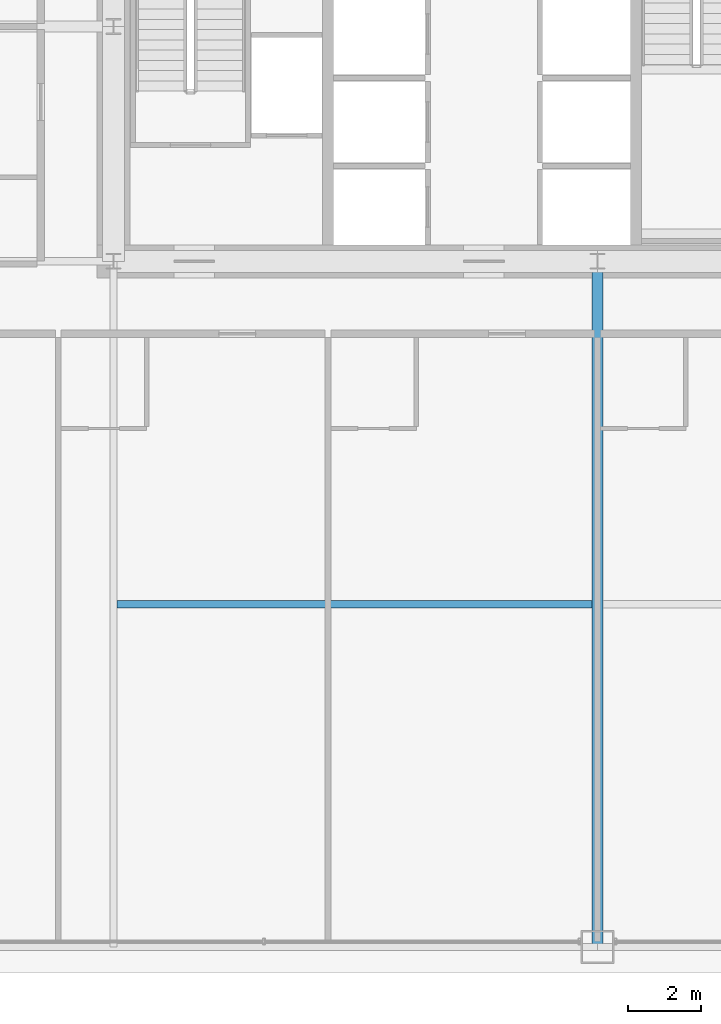
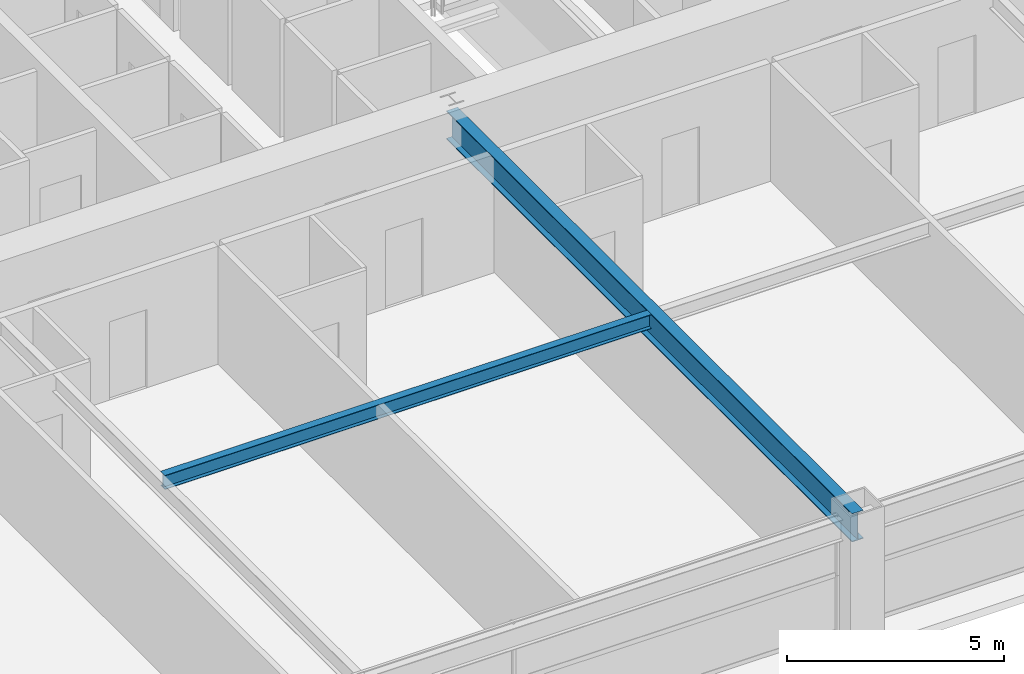
# One storey, part 8 of 43: 2 beams.
"""IFC4 building model written with IfcOpenShell, lengths in metres."""

from ifc_helpers import new_model, si_unit, direction, frame, origin, origin_2d, place, context, subcontext, project, spatial, i_section, extrude, source, transform, mapped, material, material_profile, profile_set, type_object, element, save


model = new_model("IFC4")

# Units and contexts
model_context = context("Model", 3, precision=1e-05, world=origin(), true_north=direction((0.0, 1.0)))
body_context = subcontext(model_context, "Body", "Model", "MODEL_VIEW")
ifc_project = project(units=[si_unit("LENGTHUNIT", "METRE"), si_unit("AREAUNIT", "SQUARE_METRE"), si_unit("VOLUMEUNIT", "CUBIC_METRE"), si_unit("PLANEANGLEUNIT", "RADIAN"), si_unit("MASSUNIT", "GRAM", prefix="KILO"), si_unit("THERMODYNAMICTEMPERATUREUNIT", "KELVIN"), si_unit("POWERUNIT", "WATT")], contexts=[model_context])

# Site, building, storey
site_placement = place(None, origin())
site = spatial("IfcSite", under=ifc_project, at=site_placement, CompositionType="ELEMENT")
building_placement = place(site_placement, origin())
building = spatial("IfcBuilding", under=site, at=building_placement, Name="Yuzanri Waterfront Tower", CompositionType="ELEMENT")
storey_placement = place(building_placement, frame((0.0, 0.0, 37.800048828125)))
storey = spatial("IfcBuildingStorey", under=building, at=storey_placement, Name="L09", CompositionType="ELEMENT", Elevation=37.800048828125)

# Beams
ifc_material_1 = material(Name="Steel Q355B", Category="steel")
ifc_material_profile_1 = material_profile(ifc_material_1, i_section(OverallWidth=0.300048828125, OverallDepth=0.800048828125, WebThickness=0.013916015625, FlangeThickness=0.02587890625, at=origin_2d()), Name="HN 800x300x14x26")
ifc_profile_set_1 = profile_set([ifc_material_profile_1], Name="Steel Q355B")
beam_type_1 = type_object("IfcBeamType", Name="Primary Floor Girder Q355B HN 800x300", PredefinedType="BEAM", material=ifc_profile_set_1)
shared_shape_1 = source(origin(), body_context, "Body", "SweptSolid", [
    extrude(i_section(OverallWidth=0.300048828125, OverallDepth=0.800048828125, WebThickness=0.013916015625, FlangeThickness=0.02587890625, at=origin_2d()), origin(), (0.0, 0.0, 1.0), 18.699951171875),
])
beam_1_placement = place(storey_placement, frame((37.0, 19.39990234375, 2.919921875), z_axis=(0.0, -1.0, 0.0), x_axis=(1.0, 0.0, 0.0)))
element("IfcBeam", 1, at=beam_1_placement, inside=storey, type_object=beam_type_1, Name="L09 South Grid Girder", PredefinedType="BEAM", context=body_context, shape_type="MappedRepresentation", body=[
    mapped(shared_shape_1, transform((0.0, 0.0, 0.0), scale=1.0)),
])
ifc_material_2 = material(Name="Steel Q355B", Category="steel")
ifc_material_profile_2 = material_profile(ifc_material_2, i_section(OverallWidth=0.199951171875, OverallDepth=0.39990234375, WebThickness=0.008056640625, FlangeThickness=0.012939453125, at=origin_2d()), Name="HN 400x200x8x13")
ifc_profile_set_2 = profile_set([ifc_material_profile_2], Name="Steel Q355B")
beam_type_2 = type_object("IfcBeamType", Name="Floor Joist Q355B HN 400x200", PredefinedType="JOIST", material=ifc_profile_set_2)
shared_shape_2 = source(origin(), body_context, "Body", "SweptSolid", [
    extrude(i_section(OverallWidth=0.199951171875, OverallDepth=0.39990234375, WebThickness=0.008056640625, FlangeThickness=0.012939453125, at=origin_2d()), origin(), (0.0, 0.0, 1.0), 12.9501953125),
])
beam_2_placement = place(storey_placement, frame((23.89990234375, 10.050048828125, 3.119873046875), z_axis=(1.0, 0.0, 0.0), x_axis=(0.0, 1.0, 0.0)))
element("IfcBeam", 2, at=beam_2_placement, inside=storey, type_object=beam_type_2, Name="L09 South Bay Joist W", PredefinedType="JOIST", context=body_context, shape_type="MappedRepresentation", body=[
    mapped(shared_shape_2, transform((0.0, 0.0, 0.0), scale=1.0)),
])

save(model, "model.ifc")
